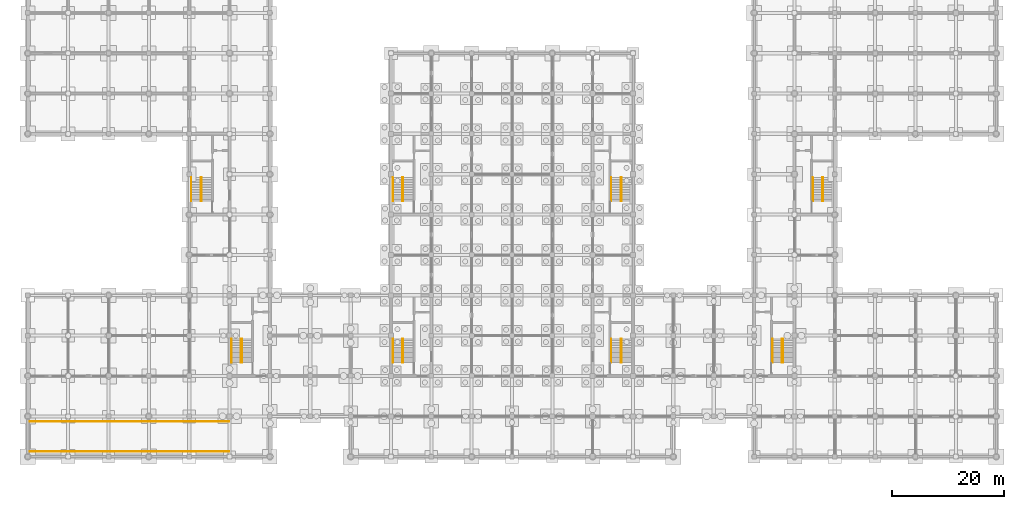
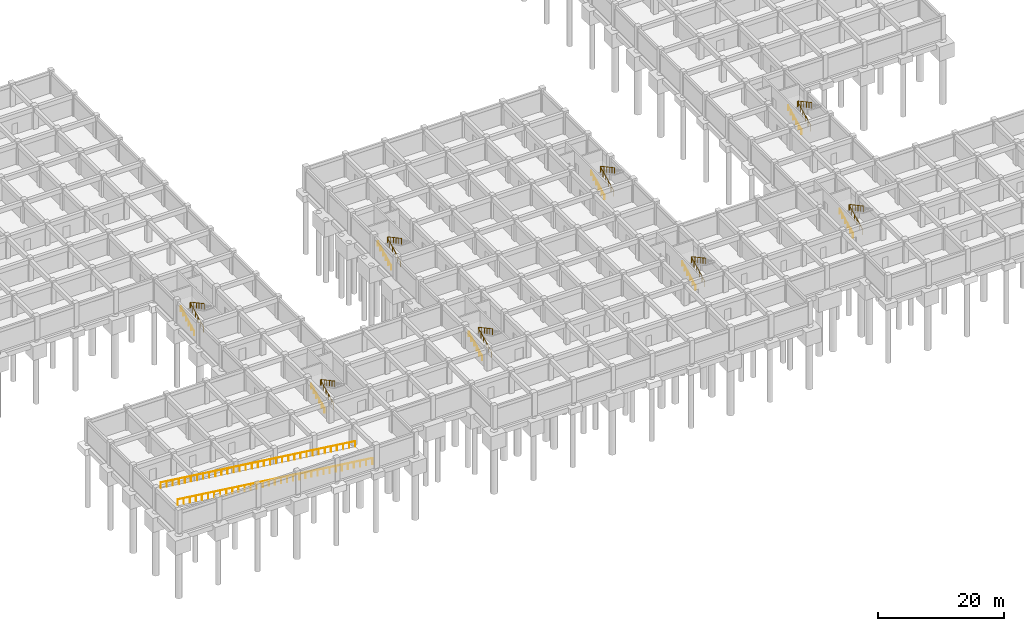
# One storey, part 25 of 25: 18 railings.
"""IFC4 building model written with IfcOpenShell, lengths in metres."""

from ifc_helpers import new_model, si_unit, direction, frame, origin, origin_2d, place, context, subcontext, project, spatial, circle, extrude, material, type_object, element, save


model = new_model("IFC4")

# Units and contexts
model_context = context("Model", 3, precision=1e-05, world=origin(), true_north=direction((0.0, 1.0)))
body_context = subcontext(model_context, "Body", "Model", "MODEL_VIEW")
ifc_project = project(units=[si_unit("LENGTHUNIT", "METRE"), si_unit("AREAUNIT", "SQUARE_METRE"), si_unit("VOLUMEUNIT", "CUBIC_METRE"), si_unit("PLANEANGLEUNIT", "RADIAN"), si_unit("MASSUNIT", "GRAM", prefix="KILO")], contexts=[model_context])

# Site, building, storey
site_placement = place(None, origin())
site = spatial("IfcSite", under=ifc_project, at=site_placement, CompositionType="ELEMENT")
building_placement = place(site_placement, origin())
building = spatial("IfcBuilding", under=site, at=building_placement, Name="Cendaluz Park School", CompositionType="ELEMENT")
storey_placement = place(building_placement, frame((0.0, 0.0, -4.5)))
storey = spatial("IfcBuildingStorey", under=building, at=storey_placement, Name="B1", CompositionType="ELEMENT", Elevation=-4.5)

# Railings
ifc_material_1 = material(Name="Wrought Iron")
railing_type_1 = type_object("IfcRailingType", Name="GR-ST01", PredefinedType="BALUSTRADE", material=ifc_material_1)
railing_1_placement = place(storey_placement, frame((66.840087890625, 16.800048828125, 0.14990234375)))
element("IfcRailing", 1, at=railing_1_placement, inside=storey, type_object=railing_type_1, Name="GR-ST-001", PredefinedType="BALUSTRADE", context=body_context, shape_type="SweptSolid", body=[
    extrude(circle(Radius=0.02392578125, at=origin_2d()), frame((0.0, 0.0, 1.076171875), z_axis=(0.0, 0.894416792377, 0.447234392142), x_axis=(-1.0, 0.0, 0.0)), (0.0, 0.0, 1.0), 4.69580078125),
    extrude(circle(Radius=0.02392578125, at=origin_2d()), frame((0.0, 4.199951171875, 3.17626953125), z_axis=(1.0, 0.0, 0.0), x_axis=(0.0, 1.0, 0.0)), (0.0, 0.0, 1.0), 0.169921875),
    extrude(circle(Radius=0.02392578125, at=origin_2d()), frame((0.169921875, 4.199951171875, 3.17626953125), z_axis=(0.0, -0.881477684796, 0.472225678258), x_axis=(1.0, 0.0, 0.0)), (0.0, 0.0, 1.0), 4.7646484375),
    extrude(circle(Radius=0.02099609375, at=origin_2d()), origin(), (0.0, 0.0, 1.0), 1.052001953125),
    extrude(circle(Radius=0.02099609375, at=origin_2d()), frame((0.0, 0.840087890625, 0.419921875)), (0.0, 0.0, 1.0), 1.052001953125),
    extrude(circle(Radius=0.02099609375, at=origin_2d()), frame((0.0, 1.679931640625, 0.840087890625)), (0.0, 0.0, 1.0), 1.052001953125),
    extrude(circle(Radius=0.02099609375, at=origin_2d()), frame((0.0, 2.52001953125, 1.260009765625)), (0.0, 0.0, 1.0), 1.052001953125),
    extrude(circle(Radius=0.02099609375, at=origin_2d()), frame((0.0, 3.35986328125, 1.68017578125)), (0.0, 0.0, 1.0), 1.052001953125),
    extrude(circle(Radius=0.02099609375, at=origin_2d()), frame((0.0, 4.199951171875, 2.10009765625)), (0.0, 0.0, 1.0), 1.052001953125),
    extrude(circle(Radius=0.02099609375, at=origin_2d()), frame((0.169921875, 4.199951171875, 2.10009765625)), (0.0, 0.0, 1.0), 1.052001953125),
    extrude(circle(Radius=0.02099609375, at=origin_2d()), frame((0.169921875, 3.35986328125, 2.550048828125)), (0.0, 0.0, 1.0), 1.052001953125),
    extrude(circle(Radius=0.02099609375, at=origin_2d()), frame((0.169921875, 2.52001953125, 3.0)), (0.0, 0.0, 1.0), 1.052001953125),
    extrude(circle(Radius=0.02099609375, at=origin_2d()), frame((0.169921875, 1.679931640625, 3.4501953125)), (0.0, 0.0, 1.0), 1.052001953125),
    extrude(circle(Radius=0.02099609375, at=origin_2d()), frame((0.169921875, 0.840087890625, 3.900146484375)), (0.0, 0.0, 1.0), 1.052001953125),
    extrude(circle(Radius=0.02099609375, at=origin_2d()), frame((0.169921875, 0.0, 4.35009765625)), (0.0, 0.0, 1.0), 1.052001953125),
])
railing_2_placement = place(storey_placement, frame((105.7900390625, 16.800048828125, 0.14990234375)))
element("IfcRailing", 2, at=railing_2_placement, inside=storey, type_object=railing_type_1, Name="GR-ST-036", PredefinedType="BALUSTRADE", context=body_context, shape_type="SweptSolid", body=[
    extrude(circle(Radius=0.02392578125, at=origin_2d()), frame((0.0, 0.0, 1.076171875), z_axis=(0.0, 0.894416792377, 0.447234392142), x_axis=(-1.0, 0.0, 0.0)), (0.0, 0.0, 1.0), 4.69580078125),
    extrude(circle(Radius=0.02392578125, at=origin_2d()), frame((0.0, 4.199951171875, 3.17626953125), z_axis=(1.0, 0.0, 0.0), x_axis=(0.0, 1.0, 0.0)), (0.0, 0.0, 1.0), 0.169921875),
    extrude(circle(Radius=0.02392578125, at=origin_2d()), frame((0.169921875, 4.199951171875, 3.17626953125), z_axis=(0.0, -0.881477684796, 0.472225678258), x_axis=(1.0, 0.0, 0.0)), (0.0, 0.0, 1.0), 4.7646484375),
    extrude(circle(Radius=0.02099609375, at=origin_2d()), origin(), (0.0, 0.0, 1.0), 1.052001953125),
    extrude(circle(Radius=0.02099609375, at=origin_2d()), frame((0.0, 0.840087890625, 0.419921875)), (0.0, 0.0, 1.0), 1.052001953125),
    extrude(circle(Radius=0.02099609375, at=origin_2d()), frame((0.0, 1.679931640625, 0.840087890625)), (0.0, 0.0, 1.0), 1.052001953125),
    extrude(circle(Radius=0.02099609375, at=origin_2d()), frame((0.0, 2.52001953125, 1.260009765625)), (0.0, 0.0, 1.0), 1.052001953125),
    extrude(circle(Radius=0.02099609375, at=origin_2d()), frame((0.0, 3.35986328125, 1.68017578125)), (0.0, 0.0, 1.0), 1.052001953125),
    extrude(circle(Radius=0.02099609375, at=origin_2d()), frame((0.0, 4.199951171875, 2.10009765625)), (0.0, 0.0, 1.0), 1.052001953125),
    extrude(circle(Radius=0.02099609375, at=origin_2d()), frame((0.169921875, 4.199951171875, 2.10009765625)), (0.0, 0.0, 1.0), 1.052001953125),
    extrude(circle(Radius=0.02099609375, at=origin_2d()), frame((0.169921875, 3.35986328125, 2.550048828125)), (0.0, 0.0, 1.0), 1.052001953125),
    extrude(circle(Radius=0.02099609375, at=origin_2d()), frame((0.169921875, 2.52001953125, 3.0)), (0.0, 0.0, 1.0), 1.052001953125),
    extrude(circle(Radius=0.02099609375, at=origin_2d()), frame((0.169921875, 1.679931640625, 3.4501953125)), (0.0, 0.0, 1.0), 1.052001953125),
    extrude(circle(Radius=0.02099609375, at=origin_2d()), frame((0.169921875, 0.840087890625, 3.900146484375)), (0.0, 0.0, 1.0), 1.052001953125),
    extrude(circle(Radius=0.02099609375, at=origin_2d()), frame((0.169921875, 0.0, 4.35009765625)), (0.0, 0.0, 1.0), 1.052001953125),
])
railing_3_placement = place(storey_placement, frame((66.840087890625, 45.60009765625, 0.14990234375)))
element("IfcRailing", 3, at=railing_3_placement, inside=storey, type_object=railing_type_1, Name="GR-ST-071", PredefinedType="BALUSTRADE", context=body_context, shape_type="SweptSolid", body=[
    extrude(circle(Radius=0.02392578125, at=origin_2d()), frame((0.0, 0.0, 1.076171875), z_axis=(0.0, 0.894416792377, 0.447234392142), x_axis=(-1.0, 0.0, 0.0)), (0.0, 0.0, 1.0), 4.69580078125),
    extrude(circle(Radius=0.02392578125, at=origin_2d()), frame((0.0, 4.199951171875, 3.17626953125), z_axis=(1.0, 0.0, 0.0), x_axis=(0.0, 1.0, 0.0)), (0.0, 0.0, 1.0), 0.169921875),
    extrude(circle(Radius=0.02392578125, at=origin_2d()), frame((0.169921875, 4.199951171875, 3.17626953125), z_axis=(0.0, -0.881477684796, 0.472225678258), x_axis=(1.0, 0.0, 0.0)), (0.0, 0.0, 1.0), 4.7646484375),
    extrude(circle(Radius=0.02099609375, at=origin_2d()), origin(), (0.0, 0.0, 1.0), 1.052001953125),
    extrude(circle(Radius=0.02099609375, at=origin_2d()), frame((0.0, 0.840087890625, 0.419921875)), (0.0, 0.0, 1.0), 1.052001953125),
    extrude(circle(Radius=0.02099609375, at=origin_2d()), frame((0.0, 1.679931640625, 0.840087890625)), (0.0, 0.0, 1.0), 1.052001953125),
    extrude(circle(Radius=0.02099609375, at=origin_2d()), frame((0.0, 2.52001953125, 1.260009765625)), (0.0, 0.0, 1.0), 1.052001953125),
    extrude(circle(Radius=0.02099609375, at=origin_2d()), frame((0.0, 3.35986328125, 1.68017578125)), (0.0, 0.0, 1.0), 1.052001953125),
    extrude(circle(Radius=0.02099609375, at=origin_2d()), frame((0.0, 4.199951171875, 2.10009765625)), (0.0, 0.0, 1.0), 1.052001953125),
    extrude(circle(Radius=0.02099609375, at=origin_2d()), frame((0.169921875, 4.199951171875, 2.10009765625)), (0.0, 0.0, 1.0), 1.052001953125),
    extrude(circle(Radius=0.02099609375, at=origin_2d()), frame((0.169921875, 3.35986328125, 2.550048828125)), (0.0, 0.0, 1.0), 1.052001953125),
    extrude(circle(Radius=0.02099609375, at=origin_2d()), frame((0.169921875, 2.52001953125, 3.0)), (0.0, 0.0, 1.0), 1.052001953125),
    extrude(circle(Radius=0.02099609375, at=origin_2d()), frame((0.169921875, 1.679931640625, 3.4501953125)), (0.0, 0.0, 1.0), 1.052001953125),
    extrude(circle(Radius=0.02099609375, at=origin_2d()), frame((0.169921875, 0.840087890625, 3.900146484375)), (0.0, 0.0, 1.0), 1.052001953125),
    extrude(circle(Radius=0.02099609375, at=origin_2d()), frame((0.169921875, 0.0, 4.35009765625)), (0.0, 0.0, 1.0), 1.052001953125),
])
railing_4_placement = place(storey_placement, frame((105.7900390625, 45.60009765625, 0.14990234375)))
element("IfcRailing", 4, at=railing_4_placement, inside=storey, type_object=railing_type_1, Name="GR-ST-106", PredefinedType="BALUSTRADE", context=body_context, shape_type="SweptSolid", body=[
    extrude(circle(Radius=0.02392578125, at=origin_2d()), frame((0.0, 0.0, 1.076171875), z_axis=(0.0, 0.894416792377, 0.447234392142), x_axis=(-1.0, 0.0, 0.0)), (0.0, 0.0, 1.0), 4.69580078125),
    extrude(circle(Radius=0.02392578125, at=origin_2d()), frame((0.0, 4.199951171875, 3.17626953125), z_axis=(1.0, 0.0, 0.0), x_axis=(0.0, 1.0, 0.0)), (0.0, 0.0, 1.0), 0.169921875),
    extrude(circle(Radius=0.02392578125, at=origin_2d()), frame((0.169921875, 4.199951171875, 3.17626953125), z_axis=(0.0, -0.881477684796, 0.472225678258), x_axis=(1.0, 0.0, 0.0)), (0.0, 0.0, 1.0), 4.7646484375),
    extrude(circle(Radius=0.02099609375, at=origin_2d()), origin(), (0.0, 0.0, 1.0), 1.052001953125),
    extrude(circle(Radius=0.02099609375, at=origin_2d()), frame((0.0, 0.840087890625, 0.419921875)), (0.0, 0.0, 1.0), 1.052001953125),
    extrude(circle(Radius=0.02099609375, at=origin_2d()), frame((0.0, 1.679931640625, 0.840087890625)), (0.0, 0.0, 1.0), 1.052001953125),
    extrude(circle(Radius=0.02099609375, at=origin_2d()), frame((0.0, 2.52001953125, 1.260009765625)), (0.0, 0.0, 1.0), 1.052001953125),
    extrude(circle(Radius=0.02099609375, at=origin_2d()), frame((0.0, 3.35986328125, 1.68017578125)), (0.0, 0.0, 1.0), 1.052001953125),
    extrude(circle(Radius=0.02099609375, at=origin_2d()), frame((0.0, 4.199951171875, 2.10009765625)), (0.0, 0.0, 1.0), 1.052001953125),
    extrude(circle(Radius=0.02099609375, at=origin_2d()), frame((0.169921875, 4.199951171875, 2.10009765625)), (0.0, 0.0, 1.0), 1.052001953125),
    extrude(circle(Radius=0.02099609375, at=origin_2d()), frame((0.169921875, 3.35986328125, 2.550048828125)), (0.0, 0.0, 1.0), 1.052001953125),
    extrude(circle(Radius=0.02099609375, at=origin_2d()), frame((0.169921875, 2.52001953125, 3.0)), (0.0, 0.0, 1.0), 1.052001953125),
    extrude(circle(Radius=0.02099609375, at=origin_2d()), frame((0.169921875, 1.679931640625, 3.4501953125)), (0.0, 0.0, 1.0), 1.052001953125),
    extrude(circle(Radius=0.02099609375, at=origin_2d()), frame((0.169921875, 0.840087890625, 3.900146484375)), (0.0, 0.0, 1.0), 1.052001953125),
    extrude(circle(Radius=0.02099609375, at=origin_2d()), frame((0.169921875, 0.0, 4.35009765625)), (0.0, 0.0, 1.0), 1.052001953125),
])
railing_5_placement = place(storey_placement, frame((38.0400390625, 16.800048828125, 0.14990234375)))
element("IfcRailing", 5, at=railing_5_placement, inside=storey, type_object=railing_type_1, Name="GR-ST-141", PredefinedType="BALUSTRADE", context=body_context, shape_type="SweptSolid", body=[
    extrude(circle(Radius=0.02392578125, at=origin_2d()), frame((0.0, 0.0, 1.076171875), z_axis=(0.0, 0.894416792377, 0.447234392142), x_axis=(-1.0, 0.0, 0.0)), (0.0, 0.0, 1.0), 4.69580078125),
    extrude(circle(Radius=0.02392578125, at=origin_2d()), frame((0.0, 4.199951171875, 3.17626953125), z_axis=(1.0, 0.0, 0.0), x_axis=(0.0, 1.0, 0.0)), (0.0, 0.0, 1.0), 0.169921875),
    extrude(circle(Radius=0.02392578125, at=origin_2d()), frame((0.169921875, 4.199951171875, 3.17626953125), z_axis=(0.0, -0.881477684796, 0.472225678258), x_axis=(1.0, 0.0, 0.0)), (0.0, 0.0, 1.0), 4.7646484375),
    extrude(circle(Radius=0.02099609375, at=origin_2d()), origin(), (0.0, 0.0, 1.0), 1.052001953125),
    extrude(circle(Radius=0.02099609375, at=origin_2d()), frame((0.0, 0.840087890625, 0.419921875)), (0.0, 0.0, 1.0), 1.052001953125),
    extrude(circle(Radius=0.02099609375, at=origin_2d()), frame((0.0, 1.679931640625, 0.840087890625)), (0.0, 0.0, 1.0), 1.052001953125),
    extrude(circle(Radius=0.02099609375, at=origin_2d()), frame((0.0, 2.52001953125, 1.260009765625)), (0.0, 0.0, 1.0), 1.052001953125),
    extrude(circle(Radius=0.02099609375, at=origin_2d()), frame((0.0, 3.35986328125, 1.68017578125)), (0.0, 0.0, 1.0), 1.052001953125),
    extrude(circle(Radius=0.02099609375, at=origin_2d()), frame((0.0, 4.199951171875, 2.10009765625)), (0.0, 0.0, 1.0), 1.052001953125),
    extrude(circle(Radius=0.02099609375, at=origin_2d()), frame((0.169921875, 4.199951171875, 2.10009765625)), (0.0, 0.0, 1.0), 1.052001953125),
    extrude(circle(Radius=0.02099609375, at=origin_2d()), frame((0.169921875, 3.35986328125, 2.550048828125)), (0.0, 0.0, 1.0), 1.052001953125),
    extrude(circle(Radius=0.02099609375, at=origin_2d()), frame((0.169921875, 2.52001953125, 3.0)), (0.0, 0.0, 1.0), 1.052001953125),
    extrude(circle(Radius=0.02099609375, at=origin_2d()), frame((0.169921875, 1.679931640625, 3.4501953125)), (0.0, 0.0, 1.0), 1.052001953125),
    extrude(circle(Radius=0.02099609375, at=origin_2d()), frame((0.169921875, 0.840087890625, 3.900146484375)), (0.0, 0.0, 1.0), 1.052001953125),
    extrude(circle(Radius=0.02099609375, at=origin_2d()), frame((0.169921875, 0.0, 4.35009765625)), (0.0, 0.0, 1.0), 1.052001953125),
])
railing_6_placement = place(storey_placement, frame((134.590087890625, 16.800048828125, 0.14990234375)))
element("IfcRailing", 6, at=railing_6_placement, inside=storey, type_object=railing_type_1, Name="GR-ST-158", PredefinedType="BALUSTRADE", context=body_context, shape_type="SweptSolid", body=[
    extrude(circle(Radius=0.02392578125, at=origin_2d()), frame((0.0, 0.0, 1.076171875), z_axis=(0.0, 0.894416792377, 0.447234392142), x_axis=(-1.0, 0.0, 0.0)), (0.0, 0.0, 1.0), 4.69580078125),
    extrude(circle(Radius=0.02392578125, at=origin_2d()), frame((0.0, 4.199951171875, 3.17626953125), z_axis=(1.0, 0.0, 0.0), x_axis=(0.0, 1.0, 0.0)), (0.0, 0.0, 1.0), 0.169921875),
    extrude(circle(Radius=0.02392578125, at=origin_2d()), frame((0.169921875, 4.199951171875, 3.17626953125), z_axis=(0.0, -0.881477684796, 0.472225678258), x_axis=(1.0, 0.0, 0.0)), (0.0, 0.0, 1.0), 4.7646484375),
    extrude(circle(Radius=0.02099609375, at=origin_2d()), origin(), (0.0, 0.0, 1.0), 1.052001953125),
    extrude(circle(Radius=0.02099609375, at=origin_2d()), frame((0.0, 0.840087890625, 0.419921875)), (0.0, 0.0, 1.0), 1.052001953125),
    extrude(circle(Radius=0.02099609375, at=origin_2d()), frame((0.0, 1.679931640625, 0.840087890625)), (0.0, 0.0, 1.0), 1.052001953125),
    extrude(circle(Radius=0.02099609375, at=origin_2d()), frame((0.0, 2.52001953125, 1.260009765625)), (0.0, 0.0, 1.0), 1.052001953125),
    extrude(circle(Radius=0.02099609375, at=origin_2d()), frame((0.0, 3.35986328125, 1.68017578125)), (0.0, 0.0, 1.0), 1.052001953125),
    extrude(circle(Radius=0.02099609375, at=origin_2d()), frame((0.0, 4.199951171875, 2.10009765625)), (0.0, 0.0, 1.0), 1.052001953125),
    extrude(circle(Radius=0.02099609375, at=origin_2d()), frame((0.169921875, 4.199951171875, 2.10009765625)), (0.0, 0.0, 1.0), 1.052001953125),
    extrude(circle(Radius=0.02099609375, at=origin_2d()), frame((0.169921875, 3.35986328125, 2.550048828125)), (0.0, 0.0, 1.0), 1.052001953125),
    extrude(circle(Radius=0.02099609375, at=origin_2d()), frame((0.169921875, 2.52001953125, 3.0)), (0.0, 0.0, 1.0), 1.052001953125),
    extrude(circle(Radius=0.02099609375, at=origin_2d()), frame((0.169921875, 1.679931640625, 3.4501953125)), (0.0, 0.0, 1.0), 1.052001953125),
    extrude(circle(Radius=0.02099609375, at=origin_2d()), frame((0.169921875, 0.840087890625, 3.900146484375)), (0.0, 0.0, 1.0), 1.052001953125),
    extrude(circle(Radius=0.02099609375, at=origin_2d()), frame((0.169921875, 0.0, 4.35009765625)), (0.0, 0.0, 1.0), 1.052001953125),
])
railing_7_placement = place(storey_placement, frame((30.840087890625, 45.60009765625, 0.14990234375)))
element("IfcRailing", 7, at=railing_7_placement, inside=storey, type_object=railing_type_1, Name="GR-ST-175", PredefinedType="BALUSTRADE", context=body_context, shape_type="SweptSolid", body=[
    extrude(circle(Radius=0.02392578125, at=origin_2d()), frame((0.0, 0.0, 1.076171875), z_axis=(0.0, 0.894416792377, 0.447234392142), x_axis=(-1.0, 0.0, 0.0)), (0.0, 0.0, 1.0), 4.69580078125),
    extrude(circle(Radius=0.02392578125, at=origin_2d()), frame((0.0, 4.199951171875, 3.17626953125), z_axis=(1.0, 0.0, 0.0), x_axis=(0.0, 1.0, 0.0)), (0.0, 0.0, 1.0), 0.169921875),
    extrude(circle(Radius=0.02392578125, at=origin_2d()), frame((0.169921875, 4.199951171875, 3.17626953125), z_axis=(0.0, -0.881477684796, 0.472225678258), x_axis=(1.0, 0.0, 0.0)), (0.0, 0.0, 1.0), 4.7646484375),
    extrude(circle(Radius=0.02099609375, at=origin_2d()), origin(), (0.0, 0.0, 1.0), 1.052001953125),
    extrude(circle(Radius=0.02099609375, at=origin_2d()), frame((0.0, 0.840087890625, 0.419921875)), (0.0, 0.0, 1.0), 1.052001953125),
    extrude(circle(Radius=0.02099609375, at=origin_2d()), frame((0.0, 1.679931640625, 0.840087890625)), (0.0, 0.0, 1.0), 1.052001953125),
    extrude(circle(Radius=0.02099609375, at=origin_2d()), frame((0.0, 2.52001953125, 1.260009765625)), (0.0, 0.0, 1.0), 1.052001953125),
    extrude(circle(Radius=0.02099609375, at=origin_2d()), frame((0.0, 3.35986328125, 1.68017578125)), (0.0, 0.0, 1.0), 1.052001953125),
    extrude(circle(Radius=0.02099609375, at=origin_2d()), frame((0.0, 4.199951171875, 2.10009765625)), (0.0, 0.0, 1.0), 1.052001953125),
    extrude(circle(Radius=0.02099609375, at=origin_2d()), frame((0.169921875, 4.199951171875, 2.10009765625)), (0.0, 0.0, 1.0), 1.052001953125),
    extrude(circle(Radius=0.02099609375, at=origin_2d()), frame((0.169921875, 3.35986328125, 2.550048828125)), (0.0, 0.0, 1.0), 1.052001953125),
    extrude(circle(Radius=0.02099609375, at=origin_2d()), frame((0.169921875, 2.52001953125, 3.0)), (0.0, 0.0, 1.0), 1.052001953125),
    extrude(circle(Radius=0.02099609375, at=origin_2d()), frame((0.169921875, 1.679931640625, 3.4501953125)), (0.0, 0.0, 1.0), 1.052001953125),
    extrude(circle(Radius=0.02099609375, at=origin_2d()), frame((0.169921875, 0.840087890625, 3.900146484375)), (0.0, 0.0, 1.0), 1.052001953125),
    extrude(circle(Radius=0.02099609375, at=origin_2d()), frame((0.169921875, 0.0, 4.35009765625)), (0.0, 0.0, 1.0), 1.052001953125),
])
railing_8_placement = place(storey_placement, frame((141.7900390625, 45.60009765625, 0.14990234375)))
element("IfcRailing", 8, at=railing_8_placement, inside=storey, type_object=railing_type_1, Name="GR-ST-180", PredefinedType="BALUSTRADE", context=body_context, shape_type="SweptSolid", body=[
    extrude(circle(Radius=0.02392578125, at=origin_2d()), frame((0.0, 0.0, 1.076171875), z_axis=(0.0, 0.894416792377, 0.447234392142), x_axis=(-1.0, 0.0, 0.0)), (0.0, 0.0, 1.0), 4.69580078125),
    extrude(circle(Radius=0.02392578125, at=origin_2d()), frame((0.0, 4.199951171875, 3.17626953125), z_axis=(1.0, 0.0, 0.0), x_axis=(0.0, 1.0, 0.0)), (0.0, 0.0, 1.0), 0.169921875),
    extrude(circle(Radius=0.02392578125, at=origin_2d()), frame((0.169921875, 4.199951171875, 3.17626953125), z_axis=(0.0, -0.881477684796, 0.472225678258), x_axis=(1.0, 0.0, 0.0)), (0.0, 0.0, 1.0), 4.7646484375),
    extrude(circle(Radius=0.02099609375, at=origin_2d()), origin(), (0.0, 0.0, 1.0), 1.052001953125),
    extrude(circle(Radius=0.02099609375, at=origin_2d()), frame((0.0, 0.840087890625, 0.419921875)), (0.0, 0.0, 1.0), 1.052001953125),
    extrude(circle(Radius=0.02099609375, at=origin_2d()), frame((0.0, 1.679931640625, 0.840087890625)), (0.0, 0.0, 1.0), 1.052001953125),
    extrude(circle(Radius=0.02099609375, at=origin_2d()), frame((0.0, 2.52001953125, 1.260009765625)), (0.0, 0.0, 1.0), 1.052001953125),
    extrude(circle(Radius=0.02099609375, at=origin_2d()), frame((0.0, 3.35986328125, 1.68017578125)), (0.0, 0.0, 1.0), 1.052001953125),
    extrude(circle(Radius=0.02099609375, at=origin_2d()), frame((0.0, 4.199951171875, 2.10009765625)), (0.0, 0.0, 1.0), 1.052001953125),
    extrude(circle(Radius=0.02099609375, at=origin_2d()), frame((0.169921875, 4.199951171875, 2.10009765625)), (0.0, 0.0, 1.0), 1.052001953125),
    extrude(circle(Radius=0.02099609375, at=origin_2d()), frame((0.169921875, 3.35986328125, 2.550048828125)), (0.0, 0.0, 1.0), 1.052001953125),
    extrude(circle(Radius=0.02099609375, at=origin_2d()), frame((0.169921875, 2.52001953125, 3.0)), (0.0, 0.0, 1.0), 1.052001953125),
    extrude(circle(Radius=0.02099609375, at=origin_2d()), frame((0.169921875, 1.679931640625, 3.4501953125)), (0.0, 0.0, 1.0), 1.052001953125),
    extrude(circle(Radius=0.02099609375, at=origin_2d()), frame((0.169921875, 0.840087890625, 3.900146484375)), (0.0, 0.0, 1.0), 1.052001953125),
    extrude(circle(Radius=0.02099609375, at=origin_2d()), frame((0.169921875, 0.0, 4.35009765625)), (0.0, 0.0, 1.0), 1.052001953125),
])
ifc_material_2 = material(Name="Tempered Low-E Double Glazing", Category="glass")
railing_type_2 = type_object("IfcRailingType", Name="GR-VD01", PredefinedType="GUARDRAIL", material=ifc_material_2)
railing_9_placement = place(storey_placement, frame((35.89990234375, 0.89990234375, 0.010009765625)))
element("IfcRailing", 9, at=railing_9_placement, inside=storey, type_object=railing_type_2, Name="GR-RAMP-FL-S", PredefinedType="GUARDRAIL", context=body_context, shape_type="SweptSolid", body=[
    extrude(circle(Radius=0.02392578125, at=origin_2d()), frame((0.0, 0.0, 1.1259765625), z_axis=(-0.992152843567, 0.0, 0.125030936183), x_axis=(0.0, -1.0, 0.0)), (0.0, 0.0, 1.0), 35.8310546875),
    extrude(circle(Radius=0.02099609375, at=origin_2d()), origin(), (0.0, 0.0, 1.0), 1.101806640625),
    extrude(circle(Radius=0.02099609375, at=origin_2d()), frame((-1.11083984375, 0.0, 0.139892578125)), (0.0, 0.0, 1.0), 1.101806640625),
    extrude(circle(Radius=0.02099609375, at=origin_2d()), frame((-2.221923828125, 0.0, 0.280029296875)), (0.0, 0.0, 1.0), 1.101806640625),
    extrude(circle(Radius=0.02099609375, at=origin_2d()), frame((-3.332763671875, 0.0, 0.419921875)), (0.0, 0.0, 1.0), 1.101806640625),
    extrude(circle(Radius=0.02099609375, at=origin_2d()), frame((-4.44384765625, 0.0, 0.56005859375)), (0.0, 0.0, 1.0), 1.101806640625),
    extrude(circle(Radius=0.02099609375, at=origin_2d()), frame((-5.5546875, 0.0, 0.699951171875)), (0.0, 0.0, 1.0), 1.101806640625),
    extrude(circle(Radius=0.02099609375, at=origin_2d()), frame((-6.66552734375, 0.0, 0.840087890625)), (0.0, 0.0, 1.0), 1.101806640625),
    extrude(circle(Radius=0.02099609375, at=origin_2d()), frame((-7.776611328125, 0.0, 0.97998046875)), (0.0, 0.0, 1.0), 1.101806640625),
    extrude(circle(Radius=0.02099609375, at=origin_2d()), frame((-8.887451171875, 0.0, 1.1201171875)), (0.0, 0.0, 1.0), 1.101806640625),
    extrude(circle(Radius=0.02099609375, at=origin_2d()), frame((-9.998291015625, 0.0, 1.260009765625)), (0.0, 0.0, 1.0), 1.101806640625),
    extrude(circle(Radius=0.02099609375, at=origin_2d()), frame((-11.109375, 0.0, 1.39990234375)), (0.0, 0.0, 1.0), 1.101806640625),
    extrude(circle(Radius=0.02099609375, at=origin_2d()), frame((-12.22021484375, 0.0, 1.5400390625)), (0.0, 0.0, 1.0), 1.101806640625),
    extrude(circle(Radius=0.02099609375, at=origin_2d()), frame((-13.3310546875, 0.0, 1.679931640625)), (0.0, 0.0, 1.0), 1.101806640625),
    extrude(circle(Radius=0.02099609375, at=origin_2d()), frame((-14.442138671875, 0.0, 1.820068359375)), (0.0, 0.0, 1.0), 1.101806640625),
    extrude(circle(Radius=0.02099609375, at=origin_2d()), frame((-15.552978515625, 0.0, 1.9599609375)), (0.0, 0.0, 1.0), 1.101806640625),
    extrude(circle(Radius=0.02099609375, at=origin_2d()), frame((-16.6640625, 0.0, 2.10009765625)), (0.0, 0.0, 1.0), 1.101806640625),
    extrude(circle(Radius=0.02099609375, at=origin_2d()), frame((-17.77490234375, 0.0, 2.239990234375)), (0.0, 0.0, 1.0), 1.101806640625),
    extrude(circle(Radius=0.02099609375, at=origin_2d()), frame((-18.8857421875, 0.0, 2.3798828125)), (0.0, 0.0, 1.0), 1.101806640625),
    extrude(circle(Radius=0.02099609375, at=origin_2d()), frame((-19.996826171875, 0.0, 2.52001953125)), (0.0, 0.0, 1.0), 1.101806640625),
    extrude(circle(Radius=0.02099609375, at=origin_2d()), frame((-21.107666015625, 0.0, 2.659912109375)), (0.0, 0.0, 1.0), 1.101806640625),
    extrude(circle(Radius=0.02099609375, at=origin_2d()), frame((-22.21875, 0.0, 2.800048828125)), (0.0, 0.0, 1.0), 1.101806640625),
    extrude(circle(Radius=0.02099609375, at=origin_2d()), frame((-23.32958984375, 0.0, 2.93994140625)), (0.0, 0.0, 1.0), 1.101806640625),
    extrude(circle(Radius=0.02099609375, at=origin_2d()), frame((-24.4404296875, 0.0, 3.080078125)), (0.0, 0.0, 1.0), 1.101806640625),
    extrude(circle(Radius=0.02099609375, at=origin_2d()), frame((-25.551513671875, 0.0, 3.219970703125)), (0.0, 0.0, 1.0), 1.101806640625),
    extrude(circle(Radius=0.02099609375, at=origin_2d()), frame((-26.662353515625, 0.0, 3.35986328125)), (0.0, 0.0, 1.0), 1.101806640625),
    extrude(circle(Radius=0.02099609375, at=origin_2d()), frame((-27.773193359375, 0.0, 3.5)), (0.0, 0.0, 1.0), 1.101806640625),
    extrude(circle(Radius=0.02099609375, at=origin_2d()), frame((-28.88427734375, 0.0, 3.639892578125)), (0.0, 0.0, 1.0), 1.101806640625),
    extrude(circle(Radius=0.02099609375, at=origin_2d()), frame((-29.9951171875, 0.0, 3.780029296875)), (0.0, 0.0, 1.0), 1.101806640625),
    extrude(circle(Radius=0.02099609375, at=origin_2d()), frame((-31.10595703125, 0.0, 3.919921875)), (0.0, 0.0, 1.0), 1.101806640625),
    extrude(circle(Radius=0.02099609375, at=origin_2d()), frame((-32.217041015625, 0.0, 4.06005859375)), (0.0, 0.0, 1.0), 1.101806640625),
    extrude(circle(Radius=0.02099609375, at=origin_2d()), frame((-33.327880859375, 0.0, 4.199951171875)), (0.0, 0.0, 1.0), 1.101806640625),
    extrude(circle(Radius=0.02099609375, at=origin_2d()), frame((-34.43896484375, 0.0, 4.340087890625)), (0.0, 0.0, 1.0), 1.101806640625),
    extrude(circle(Radius=0.02099609375, at=origin_2d()), frame((-35.5498046875, 0.0, 4.47998046875)), (0.0, 0.0, 1.0), 1.101806640625),
])
railing_10_placement = place(storey_placement, frame((35.89990234375, 6.300048828125, 0.010009765625)))
element("IfcRailing", 10, at=railing_10_placement, inside=storey, type_object=railing_type_2, Name="GR-RAMP-FL-N", PredefinedType="GUARDRAIL", context=body_context, shape_type="SweptSolid", body=[
    extrude(circle(Radius=0.02392578125, at=origin_2d()), frame((0.0, 0.0, 1.1259765625), z_axis=(-0.992152843567, 0.0, 0.125030936183), x_axis=(0.0, -1.0, 0.0)), (0.0, 0.0, 1.0), 35.8310546875),
    extrude(circle(Radius=0.02099609375, at=origin_2d()), origin(), (0.0, 0.0, 1.0), 1.101806640625),
    extrude(circle(Radius=0.02099609375, at=origin_2d()), frame((-1.11083984375, 0.0, 0.139892578125)), (0.0, 0.0, 1.0), 1.101806640625),
    extrude(circle(Radius=0.02099609375, at=origin_2d()), frame((-2.221923828125, 0.0, 0.280029296875)), (0.0, 0.0, 1.0), 1.101806640625),
    extrude(circle(Radius=0.02099609375, at=origin_2d()), frame((-3.332763671875, 0.0, 0.419921875)), (0.0, 0.0, 1.0), 1.101806640625),
    extrude(circle(Radius=0.02099609375, at=origin_2d()), frame((-4.44384765625, 0.0, 0.56005859375)), (0.0, 0.0, 1.0), 1.101806640625),
    extrude(circle(Radius=0.02099609375, at=origin_2d()), frame((-5.5546875, 0.0, 0.699951171875)), (0.0, 0.0, 1.0), 1.101806640625),
    extrude(circle(Radius=0.02099609375, at=origin_2d()), frame((-6.66552734375, 0.0, 0.840087890625)), (0.0, 0.0, 1.0), 1.101806640625),
    extrude(circle(Radius=0.02099609375, at=origin_2d()), frame((-7.776611328125, 0.0, 0.97998046875)), (0.0, 0.0, 1.0), 1.101806640625),
    extrude(circle(Radius=0.02099609375, at=origin_2d()), frame((-8.887451171875, 0.0, 1.1201171875)), (0.0, 0.0, 1.0), 1.101806640625),
    extrude(circle(Radius=0.02099609375, at=origin_2d()), frame((-9.998291015625, 0.0, 1.260009765625)), (0.0, 0.0, 1.0), 1.101806640625),
    extrude(circle(Radius=0.02099609375, at=origin_2d()), frame((-11.109375, 0.0, 1.39990234375)), (0.0, 0.0, 1.0), 1.101806640625),
    extrude(circle(Radius=0.02099609375, at=origin_2d()), frame((-12.22021484375, 0.0, 1.5400390625)), (0.0, 0.0, 1.0), 1.101806640625),
    extrude(circle(Radius=0.02099609375, at=origin_2d()), frame((-13.3310546875, 0.0, 1.679931640625)), (0.0, 0.0, 1.0), 1.101806640625),
    extrude(circle(Radius=0.02099609375, at=origin_2d()), frame((-14.442138671875, 0.0, 1.820068359375)), (0.0, 0.0, 1.0), 1.101806640625),
    extrude(circle(Radius=0.02099609375, at=origin_2d()), frame((-15.552978515625, 0.0, 1.9599609375)), (0.0, 0.0, 1.0), 1.101806640625),
    extrude(circle(Radius=0.02099609375, at=origin_2d()), frame((-16.6640625, 0.0, 2.10009765625)), (0.0, 0.0, 1.0), 1.101806640625),
    extrude(circle(Radius=0.02099609375, at=origin_2d()), frame((-17.77490234375, 0.0, 2.239990234375)), (0.0, 0.0, 1.0), 1.101806640625),
    extrude(circle(Radius=0.02099609375, at=origin_2d()), frame((-18.8857421875, 0.0, 2.3798828125)), (0.0, 0.0, 1.0), 1.101806640625),
    extrude(circle(Radius=0.02099609375, at=origin_2d()), frame((-19.996826171875, 0.0, 2.52001953125)), (0.0, 0.0, 1.0), 1.101806640625),
    extrude(circle(Radius=0.02099609375, at=origin_2d()), frame((-21.107666015625, 0.0, 2.659912109375)), (0.0, 0.0, 1.0), 1.101806640625),
    extrude(circle(Radius=0.02099609375, at=origin_2d()), frame((-22.21875, 0.0, 2.800048828125)), (0.0, 0.0, 1.0), 1.101806640625),
    extrude(circle(Radius=0.02099609375, at=origin_2d()), frame((-23.32958984375, 0.0, 2.93994140625)), (0.0, 0.0, 1.0), 1.101806640625),
    extrude(circle(Radius=0.02099609375, at=origin_2d()), frame((-24.4404296875, 0.0, 3.080078125)), (0.0, 0.0, 1.0), 1.101806640625),
    extrude(circle(Radius=0.02099609375, at=origin_2d()), frame((-25.551513671875, 0.0, 3.219970703125)), (0.0, 0.0, 1.0), 1.101806640625),
    extrude(circle(Radius=0.02099609375, at=origin_2d()), frame((-26.662353515625, 0.0, 3.35986328125)), (0.0, 0.0, 1.0), 1.101806640625),
    extrude(circle(Radius=0.02099609375, at=origin_2d()), frame((-27.773193359375, 0.0, 3.5)), (0.0, 0.0, 1.0), 1.101806640625),
    extrude(circle(Radius=0.02099609375, at=origin_2d()), frame((-28.88427734375, 0.0, 3.639892578125)), (0.0, 0.0, 1.0), 1.101806640625),
    extrude(circle(Radius=0.02099609375, at=origin_2d()), frame((-29.9951171875, 0.0, 3.780029296875)), (0.0, 0.0, 1.0), 1.101806640625),
    extrude(circle(Radius=0.02099609375, at=origin_2d()), frame((-31.10595703125, 0.0, 3.919921875)), (0.0, 0.0, 1.0), 1.101806640625),
    extrude(circle(Radius=0.02099609375, at=origin_2d()), frame((-32.217041015625, 0.0, 4.06005859375)), (0.0, 0.0, 1.0), 1.101806640625),
    extrude(circle(Radius=0.02099609375, at=origin_2d()), frame((-33.327880859375, 0.0, 4.199951171875)), (0.0, 0.0, 1.0), 1.101806640625),
    extrude(circle(Radius=0.02099609375, at=origin_2d()), frame((-34.43896484375, 0.0, 4.340087890625)), (0.0, 0.0, 1.0), 1.101806640625),
    extrude(circle(Radius=0.02099609375, at=origin_2d()), frame((-35.5498046875, 0.0, 4.47998046875)), (0.0, 0.0, 1.0), 1.101806640625),
])
ifc_material_3 = material(Name="Architectural Bronze")
railing_type_3 = type_object("IfcRailingType", Name="HR-ST01", PredefinedType="HANDRAIL", material=ifc_material_3)
for number, where, name in (
    (11, (65.14990234375, 16.800048828125, 0.14990234375), "HR-ST-002"),
    (12, (104.10009765625, 16.800048828125, 0.14990234375), "HR-ST-037"),
    (13, (65.14990234375, 45.60009765625, 0.14990234375), "HR-ST-072"),
    (14, (104.10009765625, 45.60009765625, 0.14990234375), "HR-ST-107"),
    (15, (36.35009765625, 16.800048828125, 0.14990234375), "HR-ST-142"),
    (16, (132.89990234375, 16.800048828125, 0.14990234375), "HR-ST-159"),
    (17, (29.14990234375, 45.60009765625, 0.14990234375), "HR-ST-176"),
    (18, (140.10009765625, 45.60009765625, 0.14990234375), "HR-ST-181"),
):
    element("IfcRailing", number, at=place(storey_placement, frame(where)), inside=storey, type_object=railing_type_3, Name=name, PredefinedType="HANDRAIL", context=body_context, shape_type="SweptSolid", body=[
        extrude(circle(Radius=0.02392578125, at=origin_2d()), frame((0.0, 0.0, 0.8759765625), z_axis=(0.0, 0.894416792377, 0.447234392142), x_axis=(-1.0, 0.0, 0.0)), (0.0, 0.0, 1.0), 4.69580078125),
        extrude(circle(Radius=0.02099609375, at=origin_2d()), origin(), (0.0, 0.0, 1.0), 0.851806640625),
        extrude(circle(Radius=0.02099609375, at=origin_2d()), frame((0.0, 0.840087890625, 0.419921875)), (0.0, 0.0, 1.0), 0.851806640625),
        extrude(circle(Radius=0.02099609375, at=origin_2d()), frame((0.0, 1.679931640625, 0.840087890625)), (0.0, 0.0, 1.0), 0.851806640625),
        extrude(circle(Radius=0.02099609375, at=origin_2d()), frame((0.0, 2.52001953125, 1.260009765625)), (0.0, 0.0, 1.0), 0.851806640625),
        extrude(circle(Radius=0.02099609375, at=origin_2d()), frame((0.0, 3.35986328125, 1.68017578125)), (0.0, 0.0, 1.0), 0.851806640625),
        extrude(circle(Radius=0.02099609375, at=origin_2d()), frame((0.0, 4.199951171875, 2.10009765625)), (0.0, 0.0, 1.0), 0.851806640625),
    ])

save(model, "model.ifc")
